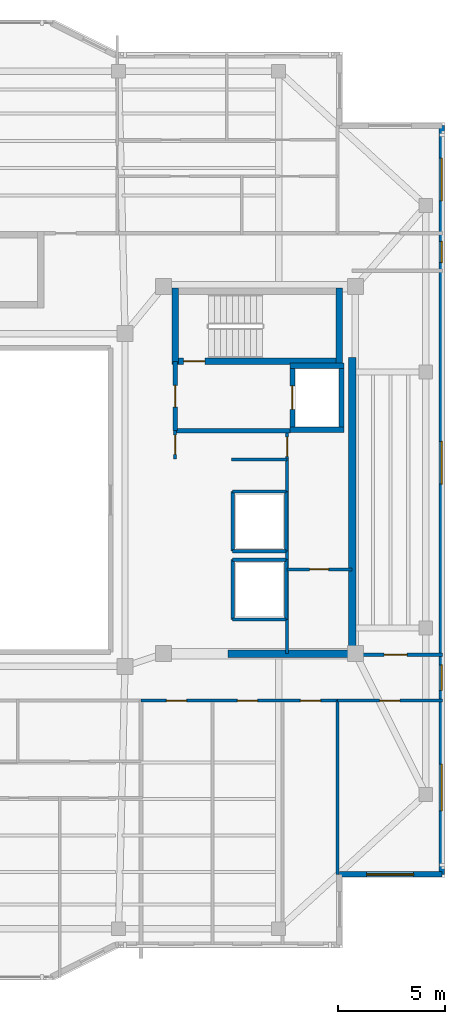
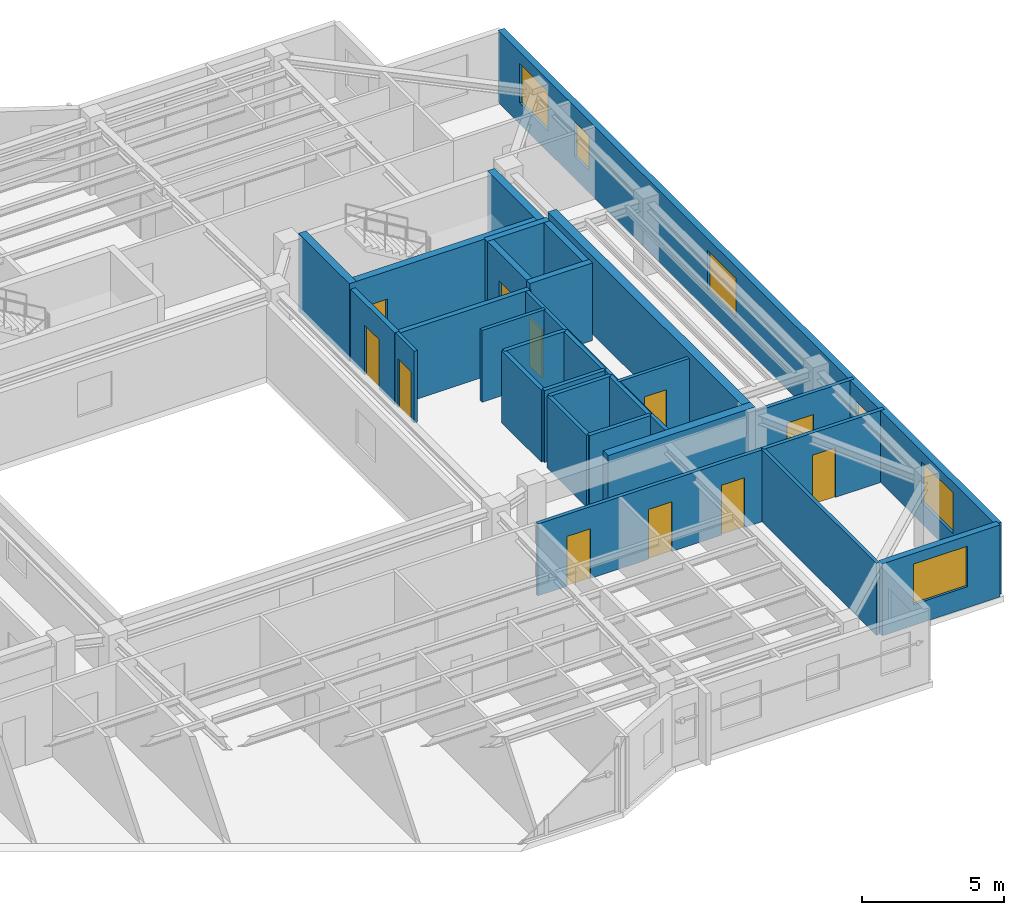
# One storey, part 8 of 13: 29 walls, 11 doors, 6 windows, 17 openings.
"""IFC4 building model written with IfcOpenShell, lengths in metres."""

from ifc_helpers import new_model, si_unit, direction, frame, frame_2d, origin, place, context, subcontext, project, spatial, rectangle, extrude, material, layer, layer_set, type_object, element, fill, save


model = new_model("IFC4")

# Units and contexts
model_context = context("Model", 3, precision=1e-05, world=origin(), true_north=direction((0.0, 1.0)))
body_context = subcontext(model_context, "Body", "Model", "MODEL_VIEW")
ifc_project = project(units=[si_unit("LENGTHUNIT", "METRE"), si_unit("AREAUNIT", "SQUARE_METRE"), si_unit("VOLUMEUNIT", "CUBIC_METRE"), si_unit("PLANEANGLEUNIT", "RADIAN"), si_unit("MASSUNIT", "GRAM", prefix="KILO")], contexts=[model_context])

# Site, building, storey
site_placement = place(None, origin())
site = spatial("IfcSite", under=ifc_project, at=site_placement, CompositionType="ELEMENT")
building_placement = place(site_placement, origin())
building = spatial("IfcBuilding", under=site, at=building_placement, Name="Tarnavaz Court Tower", CompositionType="ELEMENT")
storey_placement = place(building_placement, frame((0.0, 0.0, 251.550048828125)))
storey = spatial("IfcBuildingStorey", under=building, at=storey_placement, Name="L68", CompositionType="ELEMENT", Elevation=251.550048828125)

# Wall, opening, door
ifc_material_1 = material(Name="Concrete C50/60", Category="concrete")
ifc_layer_1 = layer(ifc_material_1, 0.25)
ifc_layer_set_1 = layer_set([ifc_layer_1], Name="Concrete C50/60")
wall_type_1 = type_object("IfcWallType", Name="WL-CORE-250-C50", PredefinedType="SHEAR", material=ifc_layer_set_1)
wall_1_placement = place(storey_placement, frame((15.64990234375, 3.175048828125, 0.0), z_axis=(0.0, 0.0, 1.0), x_axis=(0.0, 1.0, 0.0)))
wall_1 = element("IfcWall", 1, at=wall_1_placement, inside=storey, type_object=wall_type_1, Name="L68 Lift FL-E1 Shaft Wall 033", PredefinedType="SHEAR", context=body_context, shape_type="SweptSolid", body=[
    extrude(rectangle(XDim=3.25, YDim=0.25, at=frame_2d((1.625, 0.0))), origin(), (0.0, 0.0, 1.0), 3.349853515625),
])
opening_1_placement = place(wall_1_placement, frame((1.074951171875, 0.0, 0.0)))
opening_1 = element("IfcOpeningElement", 2, at=opening_1_placement, cuts=wall_1, Name="Opening LD1", PredefinedType="OPENING", context=body_context, shape_type="SweptSolid", body=[
    extrude(rectangle(XDim=1.10009765625, YDim=2.14990234375, at=frame_2d((0.550048828125, 1.074951171875))), frame((0.0, 0.135009765625, 0.0), z_axis=(0.0, -1.0, 0.0), x_axis=(1.0, 0.0, 0.0)), (0.0, 0.0, 1.0), 0.27001953125),
])
ifc_material_2 = material(Name="Stainless Steel", Category="steel")
door_type_1 = type_object("IfcDoorType", Name="DR-LD-1100", OperationType="NOTDEFINED", PredefinedType="DOOR", material=ifc_material_2)
door_1_placement = place(opening_1_placement, origin())
door_1 = element("IfcDoor", 3, at=door_1_placement, inside=storey, type_object=door_type_1, Name="L68 Lift Landing Door LD-FL-E1", OperationType="SLIDING_TO_LEFT", OverallHeight=2.14990234375, OverallWidth=1.10009765625, PredefinedType="DOOR", context=body_context, shape_type="SweptSolid", body=[
    extrude(rectangle(XDim=1.10009765625, YDim=2.14990234375, at=frame_2d((0.550048828125, 1.074951171875))), frame((0.0, 0.02490234375, 0.0), z_axis=(0.0, -1.0, 0.0), x_axis=(1.0, 0.0, 0.0)), (0.0, 0.0, 1.0), 0.050048828125),
])
fill(opening_1, door_1)

# Walls
wall_2_placement = place(storey_placement, frame((17.949951171875, 3.175048828125, 0.0), z_axis=(0.0, 0.0, 1.0), x_axis=(0.0, 1.0, 0.0)))
element("IfcWall", 4, at=wall_2_placement, inside=storey, type_object=wall_type_1, Name="L68 Lift FL-E1 Shaft Wall 034", PredefinedType="SHEAR", context=body_context, shape_type="SweptSolid", body=[
    extrude(rectangle(XDim=3.25, YDim=0.25, at=frame_2d((1.625, 0.0))), origin(), (0.0, 0.0, 1.0), 3.349853515625),
])
for number, where, z_axis, x_axis, name in (
    (5, (15.52490234375, 3.300048828125, 0.0), (0.0, 0.0, 1.0), (1.0, 0.0, 0.0), "L68 Lift FL-E1 Shaft Wall 035"),
    (6, (15.52490234375, 6.300048828125, 0.0), (0.0, 0.0, 1.0), (1.0, 0.0, 0.0), "L68 Lift FL-E1 Shaft Wall 036"),
):
    element("IfcWall", number, at=place(storey_placement, frame(where, z_axis=z_axis, x_axis=x_axis)), inside=storey, type_object=wall_type_1, Name=name, PredefinedType="SHEAR", context=body_context, shape_type="SweptSolid", body=[
        extrude(rectangle(XDim=2.550048828125, YDim=0.25, at=frame_2d((1.27490234375, 0.0))), origin(), (0.0, 0.0, 1.0), 3.349853515625),
    ])

# Wall, opening, door
ifc_layer_2 = layer(ifc_material_1, 0.300048828125)
ifc_layer_set_2 = layer_set([ifc_layer_2], Name="Concrete C50/60")
wall_type_2 = type_object("IfcWallType", Name="WL-CORE-300-C50", PredefinedType="SHEAR", material=ifc_layer_set_2)
wall_3_placement = place(storey_placement, frame((10.0, 6.5, 0.0), z_axis=(0.0, 0.0, 1.0), x_axis=(1.0, 0.0, 0.0)))
wall_3 = element("IfcWall", 7, at=wall_3_placement, inside=storey, type_object=wall_type_2, Name="L68 East Stair Core Wall 006", PredefinedType="SHEAR", context=body_context, shape_type="SweptSolid", body=[
    extrude(rectangle(XDim=8.0, YDim=0.300048828125, at=frame_2d((4.0, 0.0))), origin(), (0.0, 0.0, 1.0), 3.349853515625),
])
opening_2_placement = place(wall_3_placement, frame((0.550048828125, 0.0, 0.0)))
opening_2 = element("IfcOpeningElement", 8, at=opening_2_placement, cuts=wall_3, Name="Opening D01", PredefinedType="OPENING", context=body_context, shape_type="SweptSolid", body=[
    extrude(rectangle(XDim=1.0, YDim=2.14990234375, at=frame_2d((0.5, 1.074951171875))), frame((0.0, 0.159912109375, 0.0), z_axis=(0.0, -1.0, 0.0), x_axis=(1.0, 0.0, 0.0)), (0.0, 0.0, 1.0), 0.320068359375),
])
ifc_material_3 = material(Name="Fire-Rated Hardwood Timber Core", Category="wood")
door_type_2 = type_object("IfcDoorType", Name="DR-FD90-1000", OperationType="NOTDEFINED", PredefinedType="DOOR", material=ifc_material_3)
door_2_placement = place(opening_2_placement, origin())
door_2 = element("IfcDoor", 9, at=door_2_placement, inside=storey, type_object=door_type_2, Name="L68 Stair ST-E1 Exit Door", OperationType="SINGLE_SWING_RIGHT", OverallHeight=2.14990234375, OverallWidth=1.0, PredefinedType="DOOR", context=body_context, shape_type="SweptSolid", body=[
    extrude(rectangle(XDim=1.0, YDim=2.14990234375, at=frame_2d((0.5, 1.074951171875))), frame((0.0, 0.02490234375, 0.0), z_axis=(0.0, -1.0, 0.0), x_axis=(1.0, 0.0, 0.0)), (0.0, 0.0, 1.0), 0.050048828125),
])
fill(opening_2, door_2)

# Walls
for number, where, z_axis, x_axis, name in (
    (10, (10.14990234375, 6.35009765625, 0.0), (0.0, 0.0, 1.0), (0.0, 1.0, 0.0), "L68 East Stair Core Wall 007"),
    (11, (17.85009765625, 6.35009765625, 0.0), (0.0, 0.0, 1.0), (0.0, 1.0, 0.0), "L68 East Stair Core Wall 008"),
):
    element("IfcWall", number, at=place(storey_placement, frame(where, z_axis=z_axis, x_axis=x_axis)), inside=storey, type_object=wall_type_2, Name=name, PredefinedType="SHEAR", context=body_context, shape_type="SweptSolid", body=[
        extrude(rectangle(XDim=3.58984375, YDim=0.300048828125, at=frame_2d((1.794921875, 0.0))), origin(), (0.0, 0.0, 1.0), 3.349853515625),
    ])
ifc_layer_3 = layer(ifc_material_1, 0.35009765625)
ifc_layer_set_3 = layer_set([ifc_layer_3], Name="Concrete C50/60")
wall_type_3 = type_object("IfcWallType", Name="WL-CORE-350-C50", PredefinedType="SHEAR", material=ifc_layer_set_3)
wall_4_placement = place(storey_placement, frame((18.449951171875, -7.375, 0.0), z_axis=(0.0, 0.0, 1.0), x_axis=(0.0, 1.0, 0.0)))
element("IfcWall", 12, at=wall_4_placement, inside=storey, type_object=wall_type_3, Name="L68 East Core Shear Wall 047", PredefinedType="SHEAR", context=body_context, shape_type="SweptSolid", body=[
    extrude(rectangle(XDim=14.050048828125, YDim=0.35009765625, at=frame_2d((7.02490234375, 0.0))), origin(), (0.0, 0.0, 1.0), 3.349853515625),
])
wall_5_placement = place(storey_placement, frame((12.625, -7.199951171875, 0.0), z_axis=(0.0, 0.0, 1.0), x_axis=(1.0, 0.0, 0.0)))
element("IfcWall", 13, at=wall_5_placement, inside=storey, type_object=wall_type_3, Name="L68 East Core South Shear Wall 048", PredefinedType="SHEAR", context=body_context, shape_type="SweptSolid", body=[
    extrude(rectangle(XDim=6.0, YDim=0.35009765625, at=frame_2d((3.0, 0.0))), origin(), (0.0, 0.0, 1.0), 3.349853515625),
])

# Wall, openings, windows
ifc_material_4 = material(Name="Precast Concrete C40/50", Category="concrete")
ifc_layer_4 = layer(ifc_material_4, 0.260009765625)
ifc_layer_set_4 = layer_set([ifc_layer_4], Name="Precast Concrete C40/50")
wall_type_4 = type_object("IfcWallType", Name="WL-EXT-260", PredefinedType="SOLIDWALL", material=ifc_layer_set_4)
wall_6_placement = place(storey_placement, frame((22.64990234375, 17.550048828125, 0.0), z_axis=(0.0, 0.0, 1.0), x_axis=(0.0, -1.0, 0.0)))
wall_6 = element("IfcWall", 14, at=wall_6_placement, inside=storey, type_object=wall_type_4, Name="L68 Exterior Terracotta Facade Wall 12", PredefinedType="SOLIDWALL", context=body_context, shape_type="SweptSolid", body=[
    extrude(rectangle(XDim=35.10009765625, YDim=0.260009765625, at=frame_2d((17.550048828125, 0.0))), origin(), (0.0, 0.0, 1.0), 3.099853515625),
])
opening_3_placement = place(wall_6_placement, frame((1.52490234375, 0.0, 0.89990234375)))
opening_3 = element("IfcOpeningElement", 15, at=opening_3_placement, cuts=wall_6, Name="Opening W08", PredefinedType="OPENING", context=body_context, shape_type="SweptSolid", body=[
    extrude(rectangle(XDim=2.0, YDim=1.699951171875, at=frame_2d((1.0, 0.85009765625))), frame((0.0, 0.139892578125, 0.0), z_axis=(0.0, -1.0, 0.0), x_axis=(1.0, 0.0, 0.0)), (0.0, 0.0, 1.0), 0.280029296875),
])
opening_4_placement = place(wall_6_placement, frame((5.425048828125, 0.0, 0.949951171875)))
opening_4 = element("IfcOpeningElement", 16, at=opening_4_placement, cuts=wall_6, Name="Opening W14", PredefinedType="OPENING", context=body_context, shape_type="SweptSolid", body=[
    extrude(rectangle(XDim=1.0, YDim=1.5, at=frame_2d((0.5, 0.75))), frame((0.0, 0.139892578125, 0.0), z_axis=(0.0, -1.0, 0.0), x_axis=(1.0, 0.0, 0.0)), (0.0, 0.0, 1.0), 0.280029296875),
])
opening_5_placement = place(wall_6_placement, frame((14.800048828125, 0.0, 0.89990234375)))
opening_5 = element("IfcOpeningElement", 17, at=opening_5_placement, cuts=wall_6, Name="Opening W08", PredefinedType="OPENING", context=body_context, shape_type="SweptSolid", body=[
    extrude(rectangle(XDim=2.0, YDim=1.699951171875, at=frame_2d((1.0, 0.85009765625))), frame((0.0, 0.139892578125, 0.0), z_axis=(0.0, -1.0, 0.0), x_axis=(1.0, 0.0, 0.0)), (0.0, 0.0, 1.0), 0.280029296875),
])
opening_6_placement = place(wall_6_placement, frame((25.27490234375, 0.0, 0.949951171875)))
opening_6 = element("IfcOpeningElement", 18, at=opening_6_placement, cuts=wall_6, Name="Opening W05", PredefinedType="OPENING", context=body_context, shape_type="SweptSolid", body=[
    extrude(rectangle(XDim=1.199951171875, YDim=1.5, at=frame_2d((0.60009765625, 0.75))), frame((0.0, 0.139892578125, 0.0), z_axis=(0.0, -1.0, 0.0), x_axis=(1.0, 0.0, 0.0)), (0.0, 0.0, 1.0), 0.280029296875),
])
opening_7_placement = place(wall_6_placement, frame((29.925048828125, 0.0, 0.89990234375)))
opening_7 = element("IfcOpeningElement", 19, at=opening_7_placement, cuts=wall_6, Name="Opening W07", PredefinedType="OPENING", context=body_context, shape_type="SweptSolid", body=[
    extrude(rectangle(XDim=2.199951171875, YDim=1.75, at=frame_2d((1.10009765625, 0.875))), frame((0.0, 0.139892578125, 0.0), z_axis=(0.0, -1.0, 0.0), x_axis=(1.0, 0.0, 0.0)), (0.0, 0.0, 1.0), 0.280029296875),
])
ifc_material_5 = material(Name="Double-Glazed Solar Low-E Glass", Category="glass")
window_type_1 = type_object("IfcWindowType", Name="WN-APT-1000", PartitioningType="SINGLE_PANEL", PredefinedType="WINDOW", material=ifc_material_5)
window_1_placement = place(opening_4_placement, origin())
window_1 = element("IfcWindow", 20, at=window_1_placement, inside=storey, type_object=window_type_1, Name="L68 North-East Corner Corridor Window", OverallHeight=1.5, OverallWidth=1.0, PartitioningType="SINGLE_PANEL", PredefinedType="WINDOW", context=body_context, shape_type="SweptSolid", body=[
    extrude(rectangle(XDim=1.0, YDim=1.5, at=frame_2d((0.5, 0.75))), frame((0.0, 0.030029296875, 0.0), z_axis=(0.0, -1.0, 0.0), x_axis=(1.0, 0.0, 0.0)), (0.0, 0.0, 1.0), 0.06005859375),
])
fill(opening_4, window_1)
window_type_2 = type_object("IfcWindowType", Name="WN-APT-1200", PartitioningType="SINGLE_PANEL", PredefinedType="WINDOW", material=ifc_material_5)
window_2_placement = place(opening_6_placement, origin())
window_2 = element("IfcWindow", 21, at=window_2_placement, inside=storey, type_object=window_type_2, Name="L68 South-East Corner Corridor Window", OverallHeight=1.5, OverallWidth=1.199951171875, PartitioningType="SINGLE_PANEL", PredefinedType="WINDOW", context=body_context, shape_type="SweptSolid", body=[
    extrude(rectangle(XDim=1.199951171875, YDim=1.5, at=frame_2d((0.60009765625, 0.75))), frame((0.0, 0.030029296875, 0.0), z_axis=(0.0, -1.0, 0.0), x_axis=(1.0, 0.0, 0.0)), (0.0, 0.0, 1.0), 0.06005859375),
])
fill(opening_6, window_2)
window_type_3 = type_object("IfcWindowType", Name="WN-APT-2000", PartitioningType="DOUBLE_PANEL_VERTICAL", PredefinedType="WINDOW", material=ifc_material_5)
window_3_placement = place(opening_3_placement, origin())
window_3 = element("IfcWindow", 22, at=window_3_placement, inside=storey, type_object=window_type_3, Name="L68 North-East Corner Sunroom Study Window", OverallHeight=1.699951171875, OverallWidth=2.0, PartitioningType="SINGLE_PANEL", PredefinedType="WINDOW", context=body_context, shape_type="SweptSolid", body=[
    extrude(rectangle(XDim=2.0, YDim=1.699951171875, at=frame_2d((1.0, 0.85009765625))), frame((0.0, 0.030029296875, 0.0), z_axis=(0.0, -1.0, 0.0), x_axis=(1.0, 0.0, 0.0)), (0.0, 0.0, 1.0), 0.06005859375),
])
fill(opening_3, window_3)
window_4_placement = place(opening_5_placement, origin())
window_4 = element("IfcWindow", 23, at=window_4_placement, inside=storey, type_object=window_type_3, Name="L68 East Wing Resident Fitness Lounge Window", OverallHeight=1.699951171875, OverallWidth=2.0, PartitioningType="SINGLE_PANEL", PredefinedType="WINDOW", context=body_context, shape_type="SweptSolid", body=[
    extrude(rectangle(XDim=2.0, YDim=1.699951171875, at=frame_2d((1.0, 0.85009765625))), frame((0.0, 0.030029296875, 0.0), z_axis=(0.0, -1.0, 0.0), x_axis=(1.0, 0.0, 0.0)), (0.0, 0.0, 1.0), 0.06005859375),
])
fill(opening_5, window_4)
window_type_4 = type_object("IfcWindowType", Name="WN-APT-2200", PartitioningType="TRIPLE_PANEL_VERTICAL", PredefinedType="WINDOW", material=ifc_material_5)
window_5_placement = place(opening_7_placement, origin())
window_5 = element("IfcWindow", 24, at=window_5_placement, inside=storey, type_object=window_type_4, Name="L68 South-East Corner Reading Room Window", OverallHeight=1.75, OverallWidth=2.199951171875, PartitioningType="SINGLE_PANEL", PredefinedType="WINDOW", context=body_context, shape_type="SweptSolid", body=[
    extrude(rectangle(XDim=2.199951171875, YDim=1.75, at=frame_2d((1.10009765625, 0.875))), frame((0.0, 0.030029296875, 0.0), z_axis=(0.0, -1.0, 0.0), x_axis=(1.0, 0.0, 0.0)), (0.0, 0.0, 1.0), 0.06005859375),
])
fill(opening_7, window_5)

# Wall, opening, window
wall_7_placement = place(storey_placement, frame((22.64990234375, -17.550048828125, 0.0), z_axis=(0.0, 0.0, 1.0), x_axis=(-1.0, 0.0, 0.0)))
wall_7 = element("IfcWall", 25, at=wall_7_placement, inside=storey, type_object=wall_type_4, Name="L68 Exterior Terracotta Facade Wall 13", PredefinedType="SOLIDWALL", context=body_context, shape_type="SweptSolid", body=[
    extrude(rectangle(XDim=4.7998046875, YDim=0.260009765625, at=frame_2d((2.39990234375, 0.0))), origin(), (0.0, 0.0, 1.0), 3.099853515625),
])
opening_8_placement = place(wall_7_placement, frame((1.3251953125, 0.0, 0.89990234375)))
opening_8 = element("IfcOpeningElement", 26, at=opening_8_placement, cuts=wall_7, Name="Opening W07", PredefinedType="OPENING", context=body_context, shape_type="SweptSolid", body=[
    extrude(rectangle(XDim=2.199951171875, YDim=1.75, at=frame_2d((1.10009765625, 0.875))), frame((0.0, 0.139892578125, 0.0), z_axis=(0.0, -1.0, 0.0), x_axis=(1.0, 0.0, 0.0)), (0.0, 0.0, 1.0), 0.280029296875),
])
window_6_placement = place(opening_8_placement, origin())
window_6 = element("IfcWindow", 27, at=window_6_placement, inside=storey, type_object=window_type_4, Name="L68 South-East Corner Reading Room Window", OverallHeight=1.75, OverallWidth=2.199951171875, PartitioningType="SINGLE_PANEL", PredefinedType="WINDOW", context=body_context, shape_type="SweptSolid", body=[
    extrude(rectangle(XDim=2.199951171875, YDim=1.75, at=frame_2d((1.10009765625, 0.875))), frame((0.0, 0.030029296875, 0.0), z_axis=(0.0, -1.0, 0.0), x_axis=(1.0, 0.0, 0.0)), (0.0, 0.0, 1.0), 0.06005859375),
])
fill(opening_8, window_6)

# Wall, openings, doors
ifc_material_6 = material(Name="Gypsum Fire-Board on Acoustic Metal Stud", Category="masonry")
ifc_layer_5 = layer(ifc_material_6, 0.14990234375)
ifc_layer_set_5 = layer_set([ifc_layer_5], Name="Gypsum Fire-Board on Acoustic Metal Stud")
wall_type_5 = type_object("IfcWallType", Name="WL-FIRE-150", PredefinedType="PARTITIONING", material=ifc_layer_set_5)
wall_8_placement = place(storey_placement, frame((8.550048828125, -9.39990234375, 0.0), z_axis=(0.0, 0.0, 1.0), x_axis=(1.0, 0.0, 0.0)))
wall_8 = element("IfcWall", 28, at=wall_8_placement, inside=storey, type_object=wall_type_5, Name="L68 SE Lobby Wall 059", PredefinedType="PARTITIONING", context=body_context, shape_type="SweptSolid", body=[
    extrude(rectangle(XDim=9.199951171875, YDim=0.14990234375, at=frame_2d((4.60009765625, 0.0))), origin(), (0.0, 0.0, 1.0), 3.099853515625),
])
opening_9_placement = place(wall_8_placement, frame((1.19189453125, 0.0, 0.0)))
opening_9 = element("IfcOpeningElement", 29, at=opening_9_placement, cuts=wall_8, Name="Opening D13", PredefinedType="OPENING", context=body_context, shape_type="SweptSolid", body=[
    extrude(rectangle(XDim=0.949951171875, YDim=2.14990234375, at=frame_2d((0.47509765625, 1.074951171875))), frame((0.0, 0.0849609375, 0.0), z_axis=(0.0, -1.0, 0.0), x_axis=(1.0, 0.0, 0.0)), (0.0, 0.0, 1.0), 0.169921875),
])
opening_10_placement = place(wall_8_placement, frame((4.51611328125, 0.0, 0.0)))
opening_10 = element("IfcOpeningElement", 30, at=opening_10_placement, cuts=wall_8, Name="Opening D13", PredefinedType="OPENING", context=body_context, shape_type="SweptSolid", body=[
    extrude(rectangle(XDim=0.949951171875, YDim=2.14990234375, at=frame_2d((0.47509765625, 1.074951171875))), frame((0.0, 0.0849609375, 0.0), z_axis=(0.0, -1.0, 0.0), x_axis=(1.0, 0.0, 0.0)), (0.0, 0.0, 1.0), 0.169921875),
])
opening_11_placement = place(wall_8_placement, frame((7.47412109375, 0.0, 0.0)))
opening_11 = element("IfcOpeningElement", 31, at=opening_11_placement, cuts=wall_8, Name="Opening D13", PredefinedType="OPENING", context=body_context, shape_type="SweptSolid", body=[
    extrude(rectangle(XDim=0.949951171875, YDim=2.14990234375, at=frame_2d((0.47509765625, 1.074951171875))), frame((0.0, 0.0849609375, 0.0), z_axis=(0.0, -1.0, 0.0), x_axis=(1.0, 0.0, 0.0)), (0.0, 0.0, 1.0), 0.169921875),
])
ifc_material_7 = material(Name="Engineered Oak Timber", Category="wood")
door_type_3 = type_object("IfcDoorType", Name="DR-INT-950", OperationType="NOTDEFINED", PredefinedType="DOOR", material=ifc_material_7)
door_3_placement = place(opening_9_placement, origin())
door_3 = element("IfcDoor", 32, at=door_3_placement, inside=storey, type_object=door_type_3, Name="L68 Resident Fitness and Yoga Studio Door", OperationType="SINGLE_SWING_RIGHT", OverallHeight=2.14990234375, OverallWidth=0.949951171875, PredefinedType="DOOR", context=body_context, shape_type="SweptSolid", body=[
    extrude(rectangle(XDim=0.949951171875, YDim=2.14990234375, at=frame_2d((0.47509765625, 1.074951171875))), frame((0.0, 0.02490234375, 0.0), z_axis=(0.0, -1.0, 0.0), x_axis=(1.0, 0.0, 0.0)), (0.0, 0.0, 1.0), 0.050048828125),
])
fill(opening_9, door_3)
door_4_placement = place(opening_10_placement, origin())
door_4 = element("IfcDoor", 33, at=door_4_placement, inside=storey, type_object=door_type_3, Name="L68 Children Playroom and Daycare Door", OperationType="SINGLE_SWING_LEFT", OverallHeight=2.14990234375, OverallWidth=0.949951171875, PredefinedType="DOOR", context=body_context, shape_type="SweptSolid", body=[
    extrude(rectangle(XDim=0.949951171875, YDim=2.14990234375, at=frame_2d((0.47509765625, 1.074951171875))), frame((0.0, 0.02490234375, 0.0), z_axis=(0.0, -1.0, 0.0), x_axis=(1.0, 0.0, 0.0)), (0.0, 0.0, 1.0), 0.050048828125),
])
fill(opening_10, door_4)
door_5_placement = place(opening_11_placement, origin())
door_5 = element("IfcDoor", 34, at=door_5_placement, inside=storey, type_object=door_type_3, Name="L68 Shared Community Tea Pantry Door", OperationType="SINGLE_SWING_RIGHT", OverallHeight=2.14990234375, OverallWidth=0.949951171875, PredefinedType="DOOR", context=body_context, shape_type="SweptSolid", body=[
    extrude(rectangle(XDim=0.949951171875, YDim=2.14990234375, at=frame_2d((0.47509765625, 1.074951171875))), frame((0.0, 0.02490234375, 0.0), z_axis=(0.0, -1.0, 0.0), x_axis=(1.0, 0.0, 0.0)), (0.0, 0.0, 1.0), 0.050048828125),
])
fill(opening_11, door_5)

# Wall, opening, door
wall_9_placement = place(storey_placement, frame((18.449951171875, -7.25, 0.0), z_axis=(0.0, 0.0, 1.0), x_axis=(1.0, 0.0, 0.0)))
wall_9 = element("IfcWall", 35, at=wall_9_placement, inside=storey, type_object=wall_type_5, Name="L68 Interior Partition 090", PredefinedType="PARTITIONING", context=body_context, shape_type="SweptSolid", body=[
    extrude(rectangle(XDim=4.22998046875, YDim=0.14990234375, at=frame_2d((2.114990234375, 0.0))), origin(), (0.0, 0.0, 1.0), 3.099853515625),
])
opening_12_placement = place(wall_9_placement, frame((1.5, 0.0, 0.0)))
opening_12 = element("IfcOpeningElement", 36, at=opening_12_placement, cuts=wall_9, Name="Opening D12", PredefinedType="OPENING", context=body_context, shape_type="SweptSolid", body=[
    extrude(rectangle(XDim=1.080078125, YDim=2.14990234375, at=frame_2d((0.5400390625, 1.074951171875))), frame((0.0, 0.0849609375, 0.0), z_axis=(0.0, -1.0, 0.0), x_axis=(1.0, 0.0, 0.0)), (0.0, 0.0, 1.0), 0.169921875),
])
door_type_4 = type_object("IfcDoorType", Name="DR-INT-1100", OperationType="NOTDEFINED", PredefinedType="DOOR", material=ifc_material_7)
door_6_placement = place(opening_12_placement, origin())
door_6 = element("IfcDoor", 37, at=door_6_placement, inside=storey, type_object=door_type_4, Name="L68 East Fitness Lounge Door", OperationType="SINGLE_SWING_LEFT", OverallHeight=2.14990234375, OverallWidth=1.080078125, PredefinedType="DOOR", context=body_context, shape_type="SweptSolid", body=[
    extrude(rectangle(XDim=1.080078125, YDim=2.14990234375, at=frame_2d((0.5400390625, 1.074951171875))), frame((0.0, 0.02490234375, 0.0), z_axis=(0.0, -1.0, 0.0), x_axis=(1.0, 0.0, 0.0)), (0.0, 0.0, 1.0), 0.050048828125),
])
fill(opening_12, door_6)

wall_10_placement = place(storey_placement, frame((17.75, -9.39990234375, 0.0), z_axis=(0.0, 0.0, 1.0), x_axis=(1.0, 0.0, 0.0)))
wall_10 = element("IfcWall", 38, at=wall_10_placement, inside=storey, type_object=wall_type_5, Name="L68 Interior Partition 099", PredefinedType="PARTITIONING", context=body_context, shape_type="SweptSolid", body=[
    extrude(rectangle(XDim=4.929931640625, YDim=0.14990234375, at=frame_2d((2.46484375, 0.0))), origin(), (0.0, 0.0, 1.0), 3.099853515625),
])
opening_13_placement = place(wall_10_placement, frame((1.989990234375, 0.0, 0.0)))
opening_13 = element("IfcOpeningElement", 39, at=opening_13_placement, cuts=wall_10, Name="Opening D13", PredefinedType="OPENING", context=body_context, shape_type="SweptSolid", body=[
    extrude(rectangle(XDim=0.949951171875, YDim=2.14990234375, at=frame_2d((0.47509765625, 1.074951171875))), frame((0.0, 0.0849609375, 0.0), z_axis=(0.0, -1.0, 0.0), x_axis=(1.0, 0.0, 0.0)), (0.0, 0.0, 1.0), 0.169921875),
])
door_7_placement = place(opening_13_placement, origin())
door_7 = element("IfcDoor", 40, at=door_7_placement, inside=storey, type_object=door_type_3, Name="L68 SE Reading Room Door", OperationType="SINGLE_SWING_LEFT", OverallHeight=2.14990234375, OverallWidth=0.949951171875, PredefinedType="DOOR", context=body_context, shape_type="SweptSolid", body=[
    extrude(rectangle(XDim=0.949951171875, YDim=2.14990234375, at=frame_2d((0.47509765625, 1.074951171875))), frame((0.0, 0.02490234375, 0.0), z_axis=(0.0, -1.0, 0.0), x_axis=(1.0, 0.0, 0.0)), (0.0, 0.0, 1.0), 0.050048828125),
])
fill(opening_13, door_7)

# Wall
ifc_material_8 = material(Name="Autoclaved Aerated Concrete Blockwork", Category="masonry")
ifc_layer_6 = layer(ifc_material_8, 0.199951171875)
ifc_layer_set_6 = layer_set([ifc_layer_6], Name="Autoclaved Aerated Concrete Blockwork")
wall_type_6 = type_object("IfcWallType", Name="WL-FIRE-200", PredefinedType="SOLIDWALL", material=ifc_layer_set_6)
wall_11_placement = place(storey_placement, frame((10.14990234375, 3.25, 0.0), z_axis=(0.0, 0.0, 1.0), x_axis=(1.0, 0.0, 0.0)))
element("IfcWall", 41, at=wall_11_placement, inside=storey, type_object=wall_type_6, Name="L68 East Firefighting Lobby Wall 015", PredefinedType="SOLIDWALL", context=body_context, shape_type="SweptSolid", body=[
    extrude(rectangle(XDim=5.400146484375, YDim=0.199951171875, at=frame_2d((2.7001953125, 0.0))), origin(), (0.0, 0.0, 1.0), 3.099853515625),
])

# Wall, opening, door
wall_12_placement = place(storey_placement, frame((10.14990234375, 3.25, 0.0), z_axis=(0.0, 0.0, 1.0), x_axis=(0.0, 1.0, 0.0)))
wall_12 = element("IfcWall", 42, at=wall_12_placement, inside=storey, type_object=wall_type_6, Name="L68 East Firefighting Lobby Wall 016", PredefinedType="SOLIDWALL", context=body_context, shape_type="SweptSolid", body=[
    extrude(rectangle(XDim=3.25, YDim=0.199951171875, at=frame_2d((1.625, 0.0))), origin(), (0.0, 0.0, 1.0), 3.099853515625),
])
opening_14_placement = place(wall_12_placement, frame((1.10009765625, 0.0, 0.0)))
opening_14 = element("IfcOpeningElement", 43, at=opening_14_placement, cuts=wall_12, Name="Opening D05", PredefinedType="OPENING", context=body_context, shape_type="SweptSolid", body=[
    extrude(rectangle(XDim=1.02001953125, YDim=2.14990234375, at=frame_2d((0.510009765625, 1.074951171875))), frame((0.0, 0.10986328125, 0.0), z_axis=(0.0, -1.0, 0.0), x_axis=(1.0, 0.0, 0.0)), (0.0, 0.0, 1.0), 0.219970703125),
])
door_type_5 = type_object("IfcDoorType", Name="DR-FD60-1000", OperationType="NOTDEFINED", PredefinedType="DOOR", material=ifc_material_3)
door_8_placement = place(opening_14_placement, origin())
door_8 = element("IfcDoor", 44, at=door_8_placement, inside=storey, type_object=door_type_5, Name="L68 East Firefighting Lobby Door", OperationType="SINGLE_SWING_LEFT", OverallHeight=2.14990234375, OverallWidth=1.02001953125, PredefinedType="DOOR", context=body_context, shape_type="SweptSolid", body=[
    extrude(rectangle(XDim=1.02001953125, YDim=2.14990234375, at=frame_2d((0.510009765625, 1.074951171875))), frame((0.0, 0.02490234375, 0.0), z_axis=(0.0, -1.0, 0.0), x_axis=(1.0, 0.0, 0.0)), (0.0, 0.0, 1.0), 0.050048828125),
])
fill(opening_14, door_8)

# Wall
ifc_material_9 = material(Name="Gypsum Plasterboard Acoustic Partition", Category="masonry")
ifc_layer_7 = layer(ifc_material_9, 0.139892578125)
ifc_layer_set_7 = layer_set([ifc_layer_7], Name="Gypsum Plasterboard Acoustic Partition")
wall_type_7 = type_object("IfcWallType", Name="WL-PART-150", PredefinedType="PARTITIONING", material=ifc_layer_set_7)
wall_13_placement = place(storey_placement, frame((12.800048828125, 1.89990234375, 0.0), z_axis=(0.0, 0.0, 1.0), x_axis=(1.0, 0.0, 0.0)))
element("IfcWall", 45, at=wall_13_placement, inside=storey, type_object=wall_type_7, Name="L68 Interior Partition 052", PredefinedType="PARTITIONING", context=body_context, shape_type="SweptSolid", body=[
    extrude(rectangle(XDim=2.599853515625, YDim=0.139892578125, at=frame_2d((1.2998046875, 0.0))), origin(), (0.0, 0.0, 1.0), 3.099853515625),
])

# Wall, opening, door
wall_14_placement = place(storey_placement, frame((10.14990234375, 1.919921875, 0.0), z_axis=(0.0, 0.0, 1.0), x_axis=(0.0, 1.0, 0.0)))
wall_14 = element("IfcWall", 46, at=wall_14_placement, inside=storey, type_object=wall_type_7, Name="L68 Interior Partition 053", PredefinedType="PARTITIONING", context=body_context, shape_type="SweptSolid", body=[
    extrude(rectangle(XDim=1.330078125, YDim=0.139892578125, at=frame_2d((0.6650390625, 0.0))), origin(), (0.0, 0.0, 1.0), 3.099853515625),
])
opening_15_placement = place(wall_14_placement, frame((0.219970703125, 0.0, 0.0)))
opening_15 = element("IfcOpeningElement", 47, at=opening_15_placement, cuts=wall_14, Name="Opening D09", PredefinedType="OPENING", context=body_context, shape_type="SweptSolid", body=[
    extrude(rectangle(XDim=0.89990234375, YDim=2.080078125, at=frame_2d((0.449951171875, 1.0400390625))), frame((0.0, 0.079833984375, 0.0), z_axis=(0.0, -1.0, 0.0), x_axis=(1.0, 0.0, 0.0)), (0.0, 0.0, 1.0), 0.159912109375),
])
door_type_6 = type_object("IfcDoorType", Name="DR-FD30-900", OperationType="NOTDEFINED", PredefinedType="DOOR", material=ifc_material_3)
door_9_placement = place(opening_15_placement, origin())
door_9 = element("IfcDoor", 48, at=door_9_placement, inside=storey, type_object=door_type_6, Name="L68 East Core Service Lobby Door", OperationType="SINGLE_SWING_LEFT", OverallHeight=2.080078125, OverallWidth=0.89990234375, PredefinedType="DOOR", context=body_context, shape_type="SweptSolid", body=[
    extrude(rectangle(XDim=0.89990234375, YDim=2.080078125, at=frame_2d((0.449951171875, 1.0400390625))), frame((0.0, 0.02490234375, 0.0), z_axis=(0.0, -1.0, 0.0), x_axis=(1.0, 0.0, 0.0)), (0.0, 0.0, 1.0), 0.050048828125),
])
fill(opening_15, door_9)

wall_15_placement = place(storey_placement, frame((15.39990234375, -7.199951171875, 0.0), z_axis=(0.0, 0.0, 1.0), x_axis=(0.0, 1.0, 0.0)))
wall_15 = element("IfcWall", 49, at=wall_15_placement, inside=storey, type_object=wall_type_7, Name="L68 Interior Partition 054", PredefinedType="PARTITIONING", context=body_context, shape_type="SweptSolid", body=[
    extrude(rectangle(XDim=10.449951171875, YDim=0.139892578125, at=frame_2d((5.22509765625, 0.0))), origin(), (0.0, 0.0, 1.0), 3.099853515625),
])
opening_16_placement = place(wall_15_placement, frame((9.25, 0.0, 0.0)))
opening_16 = element("IfcOpeningElement", 50, at=opening_16_placement, cuts=wall_15, Name="Opening D09", PredefinedType="OPENING", context=body_context, shape_type="SweptSolid", body=[
    extrude(rectangle(XDim=0.89990234375, YDim=2.080078125, at=frame_2d((0.449951171875, 1.0400390625))), frame((0.0, 0.079833984375, 0.0), z_axis=(0.0, -1.0, 0.0), x_axis=(1.0, 0.0, 0.0)), (0.0, 0.0, 1.0), 0.159912109375),
])
door_10_placement = place(opening_16_placement, origin())
door_10 = element("IfcDoor", 51, at=door_10_placement, inside=storey, type_object=door_type_6, Name="L68 East Wet Riser Door", OperationType="SINGLE_SWING_RIGHT", OverallHeight=2.080078125, OverallWidth=0.89990234375, PredefinedType="DOOR", context=body_context, shape_type="SweptSolid", body=[
    extrude(rectangle(XDim=0.89990234375, YDim=2.080078125, at=frame_2d((0.449951171875, 1.0400390625))), frame((0.0, 0.02490234375, 0.0), z_axis=(0.0, -1.0, 0.0), x_axis=(1.0, 0.0, 0.0)), (0.0, 0.0, 1.0), 0.050048828125),
])
fill(opening_16, door_10)

wall_16_placement = place(storey_placement, frame((15.39990234375, -3.25, 0.0), z_axis=(0.0, 0.0, 1.0), x_axis=(1.0, 0.0, 0.0)))
wall_16 = element("IfcWall", 52, at=wall_16_placement, inside=storey, type_object=wall_type_7, Name="L68 Interior Partition 055", PredefinedType="PARTITIONING", context=body_context, shape_type="SweptSolid", body=[
    extrude(rectangle(XDim=3.050048828125, YDim=0.139892578125, at=frame_2d((1.52490234375, 0.0))), origin(), (0.0, 0.0, 1.0), 3.099853515625),
])
opening_17_placement = place(wall_16_placement, frame((1.050048828125, 0.0, 0.0)))
opening_17 = element("IfcOpeningElement", 53, at=opening_17_placement, cuts=wall_16, Name="Opening D09", PredefinedType="OPENING", context=body_context, shape_type="SweptSolid", body=[
    extrude(rectangle(XDim=0.89990234375, YDim=2.080078125, at=frame_2d((0.449951171875, 1.0400390625))), frame((0.0, 0.079833984375, 0.0), z_axis=(0.0, -1.0, 0.0), x_axis=(1.0, 0.0, 0.0)), (0.0, 0.0, 1.0), 0.159912109375),
])
door_11_placement = place(opening_17_placement, origin())
door_11 = element("IfcDoor", 54, at=door_11_placement, inside=storey, type_object=door_type_6, Name="L68 East Electrical Plant Door", OperationType="SINGLE_SWING_LEFT", OverallHeight=2.080078125, OverallWidth=0.89990234375, PredefinedType="DOOR", context=body_context, shape_type="SweptSolid", body=[
    extrude(rectangle(XDim=0.89990234375, YDim=2.080078125, at=frame_2d((0.449951171875, 1.0400390625))), frame((0.0, 0.02490234375, 0.0), z_axis=(0.0, -1.0, 0.0), x_axis=(1.0, 0.0, 0.0)), (0.0, 0.0, 1.0), 0.050048828125),
])
fill(opening_17, door_11)

# Walls
wall_17_placement = place(storey_placement, frame((17.75, -17.550048828125, 0.0), z_axis=(0.0, 0.0, 1.0), x_axis=(0.0, 1.0, 0.0)))
element("IfcWall", 55, at=wall_17_placement, inside=storey, type_object=wall_type_7, Name="L68 Interior Partition 093", PredefinedType="PARTITIONING", context=body_context, shape_type="SweptSolid", body=[
    extrude(rectangle(XDim=8.150146484375, YDim=0.139892578125, at=frame_2d((4.0751953125, 0.0))), origin(), (0.0, 0.0, 1.0), 3.099853515625),
])
ifc_layer_8 = layer(ifc_material_8, 0.159912109375)
ifc_layer_set_8 = layer_set([ifc_layer_8], Name="Autoclaved Aerated Concrete Blockwork")
wall_type_8 = type_object("IfcWallType", Name="WL-SHAFT-150", PredefinedType="SOLIDWALL", material=ifc_layer_set_8)
for number, where, z_axis, x_axis, name in (
    (56, (12.85009765625, -5.60009765625, 0.0), (0.0, 0.0, 1.0), (0.0, 1.0, 0.0), "L68 Lift PL-OB1 Shaft Wall 037"),
    (57, (15.35009765625, -5.60009765625, 0.0), (0.0, 0.0, 1.0), (0.0, 1.0, 0.0), "L68 Lift PL-OB1 Shaft Wall 038"),
):
    element("IfcWall", number, at=place(storey_placement, frame(where, z_axis=z_axis, x_axis=x_axis)), inside=storey, type_object=wall_type_8, Name=name, PredefinedType="SOLIDWALL", context=body_context, shape_type="SweptSolid", body=[
        extrude(rectangle(XDim=2.800048828125, YDim=0.159912109375, at=frame_2d((1.39990234375, 0.0))), origin(), (0.0, 0.0, 1.0), 3.099853515625),
    ])
for number, where, z_axis, x_axis, name in (
    (58, (12.85009765625, -5.60009765625, 0.0), (0.0, 0.0, 1.0), (1.0, 0.0, 0.0), "L68 Lift PL-OB1 Shaft Wall 039"),
    (59, (12.85009765625, -2.800048828125, 0.0), (0.0, 0.0, 1.0), (1.0, 0.0, 0.0), "L68 Lift PL-OB1 Shaft Wall 040"),
):
    element("IfcWall", number, at=place(storey_placement, frame(where, z_axis=z_axis, x_axis=x_axis)), inside=storey, type_object=wall_type_8, Name=name, PredefinedType="SOLIDWALL", context=body_context, shape_type="SweptSolid", body=[
        extrude(rectangle(XDim=2.5, YDim=0.159912109375, at=frame_2d((1.25, 0.0))), origin(), (0.0, 0.0, 1.0), 3.099853515625),
    ])
for number, where, z_axis, x_axis, name in (
    (60, (12.85009765625, -2.39990234375, 0.0), (0.0, 0.0, 1.0), (0.0, 1.0, 0.0), "L68 Lift PL-OB2 Shaft Wall 041"),
    (61, (15.35009765625, -2.39990234375, 0.0), (0.0, 0.0, 1.0), (0.0, 1.0, 0.0), "L68 Lift PL-OB2 Shaft Wall 042"),
):
    element("IfcWall", number, at=place(storey_placement, frame(where, z_axis=z_axis, x_axis=x_axis)), inside=storey, type_object=wall_type_8, Name=name, PredefinedType="SOLIDWALL", context=body_context, shape_type="SweptSolid", body=[
        extrude(rectangle(XDim=2.7998046875, YDim=0.159912109375, at=frame_2d((1.39990234375, 0.0))), origin(), (0.0, 0.0, 1.0), 3.099853515625),
    ])
for number, where, z_axis, x_axis, name in (
    (62, (12.85009765625, -2.39990234375, 0.0), (0.0, 0.0, 1.0), (1.0, 0.0, 0.0), "L68 Lift PL-OB2 Shaft Wall 043"),
    (63, (12.85009765625, 0.39990234375, 0.0), (0.0, 0.0, 1.0), (1.0, 0.0, 0.0), "L68 Lift PL-OB2 Shaft Wall 044"),
):
    element("IfcWall", number, at=place(storey_placement, frame(where, z_axis=z_axis, x_axis=x_axis)), inside=storey, type_object=wall_type_8, Name=name, PredefinedType="SOLIDWALL", context=body_context, shape_type="SweptSolid", body=[
        extrude(rectangle(XDim=2.5, YDim=0.159912109375, at=frame_2d((1.25, 0.0))), origin(), (0.0, 0.0, 1.0), 3.099853515625),
    ])

save(model, "model.ifc")
